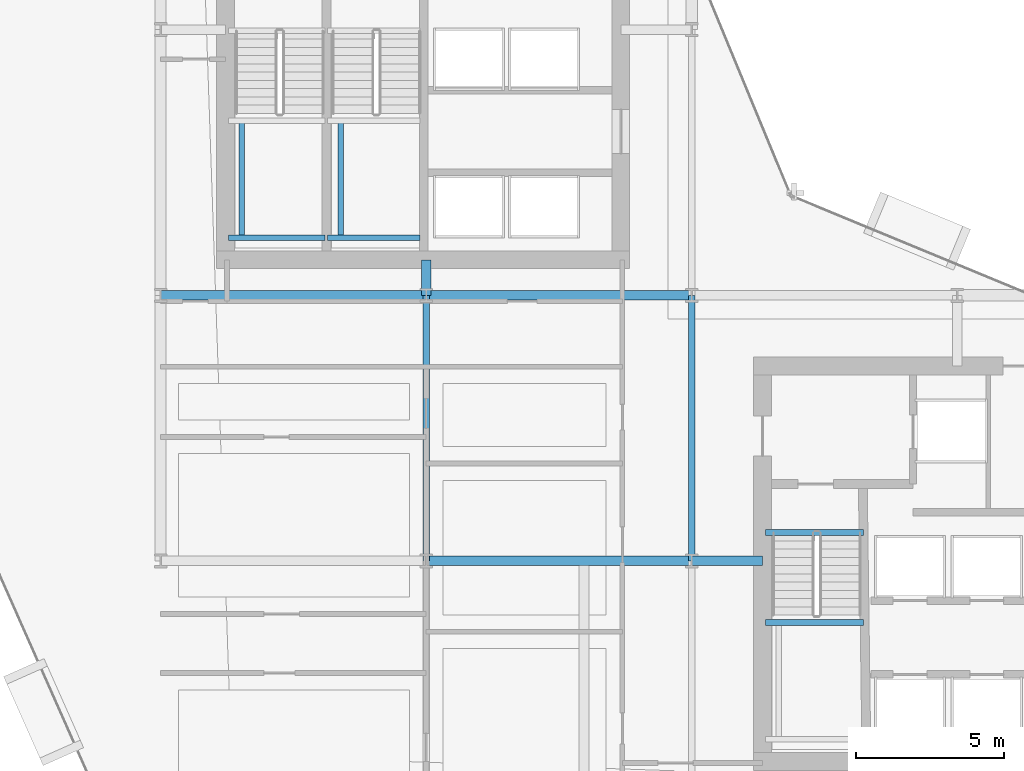
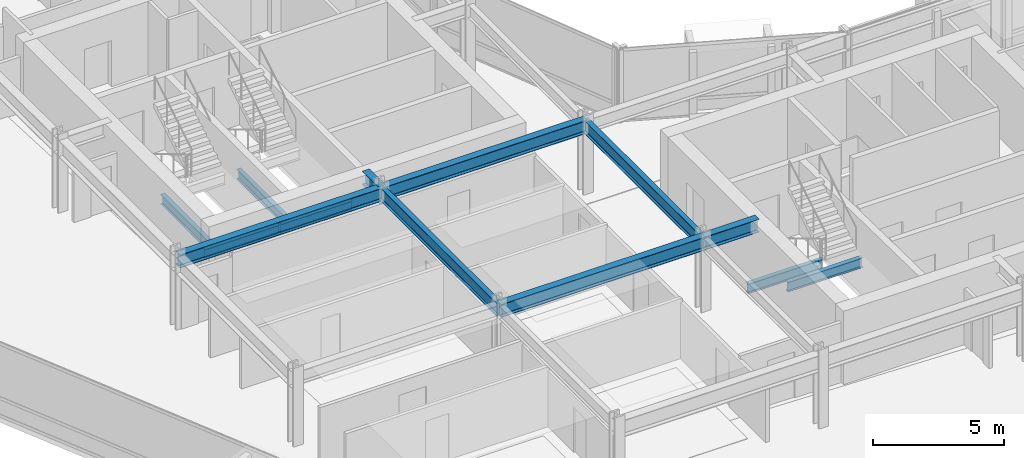
# One storey, part 7 of 34: 13 beams.
"""IFC4 building model written with IfcOpenShell, lengths in metres."""

from ifc_helpers import new_model, si_unit, direction, frame, origin, origin_2d, place, context, subcontext, project, spatial, i_section, extrude, material, material_profile, profile_set, type_object, element, save


model = new_model("IFC4")

# Units and contexts
model_context = context("Model", 3, precision=1e-05, world=origin(), true_north=direction((0.0, 1.0)))
body_context = subcontext(model_context, "Body", "Model", "MODEL_VIEW")
ifc_project = project(units=[si_unit("LENGTHUNIT", "METRE"), si_unit("AREAUNIT", "SQUARE_METRE"), si_unit("VOLUMEUNIT", "CUBIC_METRE"), si_unit("PLANEANGLEUNIT", "RADIAN"), si_unit("MASSUNIT", "GRAM", prefix="KILO")], contexts=[model_context])

# Site, building, storey
site_placement = place(None, origin())
site = spatial("IfcSite", under=ifc_project, at=site_placement, CompositionType="ELEMENT")
building_placement = place(site_placement, origin())
building = spatial("IfcBuilding", under=site, at=building_placement, Name="Solvaryn Broadcast Tower", CompositionType="ELEMENT")
storey_placement = place(building_placement, frame((0.0, 0.0, 92.800048828125)))
storey = spatial("IfcBuildingStorey", under=building, at=storey_placement, Name="L22", CompositionType="ELEMENT", Elevation=92.800048828125)

# Beams
ifc_material_1 = material(Name="Steel ASTM A992 Grade 50", Category="steel")
ifc_material_profile_1 = material_profile(ifc_material_1, i_section(OverallWidth=0.323974609375, OverallDepth=0.611083984375, WebThickness=0.0126953125, FlangeThickness=0.01904296875, FilletRadius=0.014892578125, at=origin_2d()))
ifc_profile_set_1 = profile_set([ifc_material_profile_1], Name="Steel ASTM A992 Grade 50")
beam_type_1 = type_object("IfcBeamType", Name="BM-B1-W24X104", PredefinedType="BEAM", material=ifc_profile_set_1)
for number, where, z_axis, x_axis, name in (
    (1, (18.0, 18.0, 3.114501953125), (1.0, 0.0, 0.0), (0.0, 1.0, 0.0), "L22 Primary Beam X (18-27 @ Y=18)"),
    (2, (9.0, 27.0, 3.114501953125), (1.0, 0.0, 0.0), (0.0, 1.0, 0.0), "L22 Primary Beam X (9-18 @ Y=27)"),
    (3, (18.0, 27.0, 3.114501953125), (1.0, 0.0, 0.0), (0.0, 1.0, 0.0), "L22 Primary Beam X (18-27 @ Y=27)"),
):
    element("IfcBeam", number, at=place(storey_placement, frame(where, z_axis=z_axis, x_axis=x_axis)), inside=storey, type_object=beam_type_1, Name=name, PredefinedType="BEAM", context=body_context, shape_type="SweptSolid", body=[
        extrude(i_section(OverallWidth=0.323974609375, OverallDepth=0.611083984375, WebThickness=0.0126953125, FlangeThickness=0.01904296875, FilletRadius=0.014892578125, at=origin_2d()), origin(), (0.0, 0.0, 1.0), 9.0),
    ])
beam_1_placement = place(storey_placement, frame((18.0, 27.0, 3.114501953125), z_axis=(0.0, 1.0, 0.0), x_axis=(-1.0, 0.0, 0.0)))
element("IfcBeam", 4, at=beam_1_placement, inside=storey, type_object=beam_type_1, Name="L22 Core Tie Beam CTW4", PredefinedType="BEAM", context=body_context, shape_type="SweptSolid", body=[
    extrude(i_section(OverallWidth=0.323974609375, OverallDepth=0.611083984375, WebThickness=0.0126953125, FlangeThickness=0.01904296875, FilletRadius=0.014892578125, at=origin_2d()), origin(), (0.0, 0.0, 1.0), 1.199951171875),
])
beam_2_placement = place(storey_placement, frame((27.0, 18.0, 3.114501953125), z_axis=(1.0, 0.0, 0.0), x_axis=(0.0, 1.0, 0.0)))
element("IfcBeam", 5, at=beam_2_placement, inside=storey, type_object=beam_type_1, Name="L22 Core Tie Beam CTE4", PredefinedType="BEAM", context=body_context, shape_type="SweptSolid", body=[
    extrude(i_section(OverallWidth=0.323974609375, OverallDepth=0.611083984375, WebThickness=0.0126953125, FlangeThickness=0.01904296875, FilletRadius=0.014892578125, at=origin_2d()), origin(), (0.0, 0.0, 1.0), 2.39990234375),
])
ifc_material_2 = material(Name="Steel ASTM A992 Grade 50", Category="steel")
ifc_material_profile_2 = material_profile(ifc_material_2, i_section(OverallWidth=0.22802734375, OverallDepth=0.60791015625, WebThickness=0.01123046875, FlangeThickness=0.017333984375, FilletRadius=0.014892578125, at=origin_2d()))
ifc_profile_set_2 = profile_set([ifc_material_profile_2], Name="Steel ASTM A992 Grade 50")
beam_type_2 = type_object("IfcBeamType", Name="BM-B2-W24X76", PredefinedType="BEAM", material=ifc_profile_set_2)
for number, where, z_axis, x_axis, name in (
    (6, (18.0, 18.0, 3.115966796875), (0.0, 1.0, 0.0), (-1.0, 0.0, 0.0), "L22 Primary Beam Y (18-27 @ X=18)"),
    (7, (27.0, 18.0, 3.115966796875), (0.0, 1.0, 0.0), (-1.0, 0.0, 0.0), "L22 Primary Beam Y (18-27 @ X=27)"),
):
    element("IfcBeam", number, at=place(storey_placement, frame(where, z_axis=z_axis, x_axis=x_axis)), inside=storey, type_object=beam_type_2, Name=name, PredefinedType="BEAM", context=body_context, shape_type="SweptSolid", body=[
        extrude(i_section(OverallWidth=0.22802734375, OverallDepth=0.60791015625, WebThickness=0.01123046875, FlangeThickness=0.017333984375, FilletRadius=0.014892578125, at=origin_2d()), origin(), (0.0, 0.0, 1.0), 9.0),
    ])
ifc_material_3 = material(Name="Steel ASTM A992 Grade 50", Category="steel")
ifc_material_profile_3 = material_profile(ifc_material_3, i_section(OverallWidth=0.18994140625, OverallDepth=0.45703125, WebThickness=0.009033203125, FlangeThickness=0.014404296875, FilletRadius=0.011962890625, at=origin_2d()))
ifc_profile_set_3 = profile_set([ifc_material_profile_3], Name="Steel ASTM A992 Grade 50")
beam_type_3 = type_object("IfcBeamType", Name="BM-B4-W18X50", PredefinedType="BEAM", material=ifc_profile_set_3)
beam_3_placement = place(storey_placement, frame((11.300048828125, 28.949951171875, 1.42138671875), z_axis=(1.0, 0.0, 0.0), x_axis=(0.0, 1.0, 0.0)))
element("IfcBeam", 8, at=beam_3_placement, inside=storey, type_object=beam_type_3, Name="L22 ST1 Landing Support Beam 1A", PredefinedType="BEAM", context=body_context, shape_type="SweptSolid", body=[
    extrude(i_section(OverallWidth=0.18994140625, OverallDepth=0.45703125, WebThickness=0.009033203125, FlangeThickness=0.014404296875, FilletRadius=0.011962890625, at=origin_2d()), origin(), (0.0, 0.0, 1.0), 3.280029296875),
])
beam_4_placement = place(storey_placement, frame((11.75, 28.949951171875, 1.42138671875), z_axis=(0.0, 1.0, 0.0), x_axis=(-1.0, 0.0, 0.0)))
element("IfcBeam", 9, at=beam_4_placement, inside=storey, type_object=beam_type_3, Name="L22 ST1 Landing Cross Stringer 1C", PredefinedType="BEAM", context=body_context, shape_type="SweptSolid", body=[
    extrude(i_section(OverallWidth=0.18994140625, OverallDepth=0.45703125, WebThickness=0.009033203125, FlangeThickness=0.014404296875, FilletRadius=0.011962890625, at=origin_2d()), origin(), (0.0, 0.0, 1.0), 3.9599609375),
])
beam_5_placement = place(storey_placement, frame((14.659912109375, 28.949951171875, 1.42138671875), z_axis=(1.0, 0.0, 0.0), x_axis=(0.0, 1.0, 0.0)))
element("IfcBeam", 10, at=beam_5_placement, inside=storey, type_object=beam_type_3, Name="L22 ST2 Landing Support Beam 1A", PredefinedType="BEAM", context=body_context, shape_type="SweptSolid", body=[
    extrude(i_section(OverallWidth=0.18994140625, OverallDepth=0.45703125, WebThickness=0.009033203125, FlangeThickness=0.014404296875, FilletRadius=0.011962890625, at=origin_2d()), origin(), (0.0, 0.0, 1.0), 3.14013671875),
])
beam_6_placement = place(storey_placement, frame((15.110107421875, 28.949951171875, 1.42138671875), z_axis=(0.0, 1.0, 0.0), x_axis=(-1.0, 0.0, 0.0)))
element("IfcBeam", 11, at=beam_6_placement, inside=storey, type_object=beam_type_3, Name="L22 ST2 Landing Cross Stringer 1C", PredefinedType="BEAM", context=body_context, shape_type="SweptSolid", body=[
    extrude(i_section(OverallWidth=0.18994140625, OverallDepth=0.45703125, WebThickness=0.009033203125, FlangeThickness=0.014404296875, FilletRadius=0.011962890625, at=origin_2d()), origin(), (0.0, 0.0, 1.0), 3.9599609375),
])
for number, where, z_axis, x_axis, name in (
    (12, (29.5, 18.9599609375, -0.508544921875), (1.0, 0.0, 0.0), (0.0, 1.0, 0.0), "L22 ST3 Stair Well Trimmer Beam"),
    (13, (29.5, 15.909912109375, 1.42138671875), (1.0, 0.0, 0.0), (0.0, 1.0, 0.0), "L22 ST3 Landing Support Beam 1B"),
):
    element("IfcBeam", number, at=place(storey_placement, frame(where, z_axis=z_axis, x_axis=x_axis)), inside=storey, type_object=beam_type_3, Name=name, PredefinedType="BEAM", context=body_context, shape_type="SweptSolid", body=[
        extrude(i_section(OverallWidth=0.18994140625, OverallDepth=0.45703125, WebThickness=0.009033203125, FlangeThickness=0.014404296875, FilletRadius=0.011962890625, at=origin_2d()), origin(), (0.0, 0.0, 1.0), 3.320068359375),
    ])

save(model, "model.ifc")
